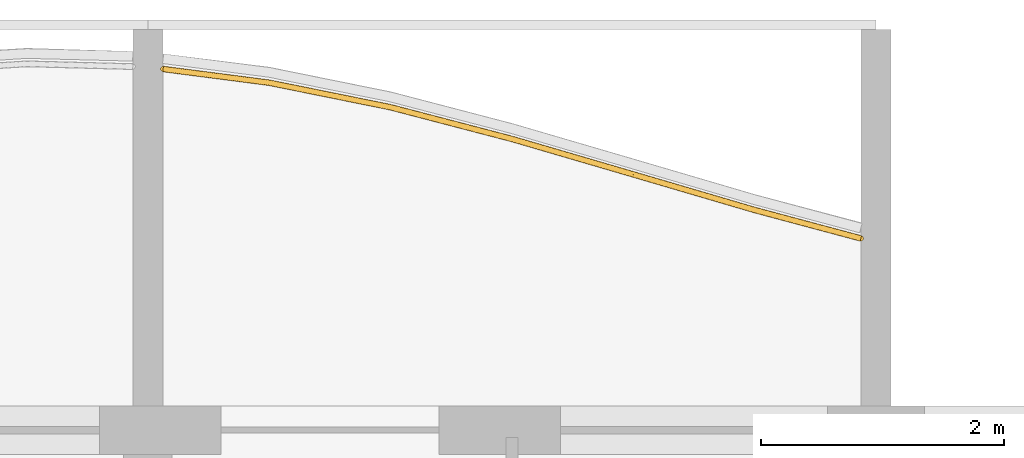
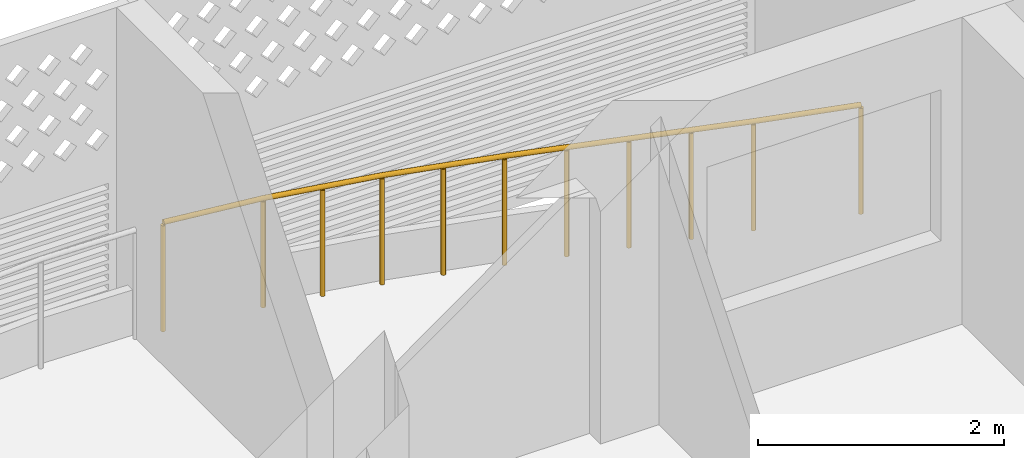
# One storey, part 27 of 39: 1 railing.
"""IFC4 building model written with IfcOpenShell, lengths in metres."""

from ifc_helpers import new_model, si_unit, direction, frame, origin, origin_2d, place, context, subcontext, project, spatial, circle, extrude, material, type_object, element, save


model = new_model("IFC4")

# Units and contexts
model_context = context("Model", 3, precision=1e-05, world=origin(), true_north=direction((0.0, 1.0)))
body_context = subcontext(model_context, "Body", "Model", "MODEL_VIEW")
ifc_project = project(units=[si_unit("LENGTHUNIT", "METRE"), si_unit("AREAUNIT", "SQUARE_METRE"), si_unit("VOLUMEUNIT", "CUBIC_METRE"), si_unit("PLANEANGLEUNIT", "RADIAN"), si_unit("MASSUNIT", "GRAM", prefix="KILO")], contexts=[model_context])

# Site, building, storey
site_placement = place(None, origin())
site = spatial("IfcSite", under=ifc_project, at=site_placement, CompositionType="ELEMENT")
building_placement = place(site_placement, origin())
building = spatial("IfcBuilding", under=site, at=building_placement, Name="Poui Terraces", CompositionType="ELEMENT")
storey_placement = place(building_placement, frame((0.0, 0.0, 59.699951171875)))
storey = spatial("IfcBuildingStorey", under=building, at=storey_placement, Name="L16", CompositionType="ELEMENT", Elevation=59.699951171875)

# Railing
ifc_material = material(Name="Painted steel fretwork", Category="steel")
railing_type = type_object("IfcRailingType", Name="BALCONY GUARD 1100", PredefinedType="GUARDRAIL", material=ifc_material)
railing_placement = place(storey_placement, frame((42.125, 47.776123046875, 0.0)))
element("IfcRailing", 1, at=railing_placement, inside=storey, type_object=railing_type, Name="BALCONY GUARD", PredefinedType="GUARDRAIL", context=body_context, shape_type="SweptSolid", body=[
    extrude(circle(Radius=0.02392578125, at=origin_2d()), frame((0.0, 0.0, 1.076171875), z_axis=(0.991758595578, -0.128120599819, 0.0), x_axis=(0.128120599819, 0.991758595578, 0.0)), (0.0, 0.0, 1.0), 0.88232421875),
    extrude(circle(Radius=0.02392578125, at=origin_2d()), frame((0.875, -0.113037109375, 1.076171875), z_axis=(0.980127115756, -0.198370453848, 0.0), x_axis=(0.198370453848, 0.980127115756, 0.0)), (0.0, 0.0, 1.0), 1.020263671875),
    extrude(circle(Radius=0.02392578125, at=origin_2d()), frame((1.875, -0.3154296875, 1.076171875), z_axis=(0.967589671846, -0.252527675587, 0.0), x_axis=(0.252527675587, 0.967589671846, 0.0)), (0.0, 0.0, 1.0), 1.033447265625),
    extrude(circle(Radius=0.02392578125, at=origin_2d()), frame((2.875, -0.576416015625, 1.076171875), z_axis=(0.959852890267, -0.280503884192, 0.0), x_axis=(0.280503884192, 0.959852890267, 0.0)), (0.0, 0.0, 1.0), 1.041748046875),
    extrude(circle(Radius=0.02392578125, at=origin_2d()), frame((3.875, -0.86865234375, 1.076171875), z_axis=(0.959536917318, -0.281582855131, 0.0), x_axis=(0.281582855131, 0.959536917318, 0.0)), (0.0, 0.0, 1.0), 1.042236328125),
    extrude(circle(Radius=0.02392578125, at=origin_2d()), frame((4.875, -1.162109375, 1.076171875), z_axis=(0.966015382601, -0.258484584798, 0.0), x_axis=(0.258484584798, 0.966015382601, 0.0)), (0.0, 0.0, 1.0), 0.90576171875),
    extrude(circle(Radius=0.02099609375, at=origin_2d()), origin(), (0.0, 0.0, 1.0), 1.052001953125),
    extrude(circle(Radius=0.02099609375, at=origin_2d()), frame((0.875, -0.113037109375, 0.0)), (0.0, 0.0, 1.0), 1.052001953125),
    extrude(circle(Radius=0.02099609375, at=origin_2d()), frame((1.375, -0.21435546875, 0.0)), (0.0, 0.0, 1.0), 1.052001953125),
    extrude(circle(Radius=0.02099609375, at=origin_2d()), frame((1.875, -0.3154296875, 0.0)), (0.0, 0.0, 1.0), 1.052001953125),
    extrude(circle(Radius=0.02099609375, at=origin_2d()), frame((2.375, -0.44580078125, 0.0)), (0.0, 0.0, 1.0), 1.052001953125),
    extrude(circle(Radius=0.02099609375, at=origin_2d()), frame((2.875, -0.576416015625, 0.0)), (0.0, 0.0, 1.0), 1.052001953125),
    extrude(circle(Radius=0.02099609375, at=origin_2d()), frame((3.375, -0.72265625, 0.0)), (0.0, 0.0, 1.0), 1.052001953125),
    extrude(circle(Radius=0.02099609375, at=origin_2d()), frame((3.875, -0.86865234375, 0.0)), (0.0, 0.0, 1.0), 1.052001953125),
    extrude(circle(Radius=0.02099609375, at=origin_2d()), frame((4.375, -1.015380859375, 0.0)), (0.0, 0.0, 1.0), 1.052001953125),
    extrude(circle(Radius=0.02099609375, at=origin_2d()), frame((4.875, -1.162109375, 0.0)), (0.0, 0.0, 1.0), 1.052001953125),
    extrude(circle(Radius=0.02099609375, at=origin_2d()), frame((5.75, -1.396240234375, 0.0)), (0.0, 0.0, 1.0), 1.052001953125),
])

save(model, "model.ifc")
